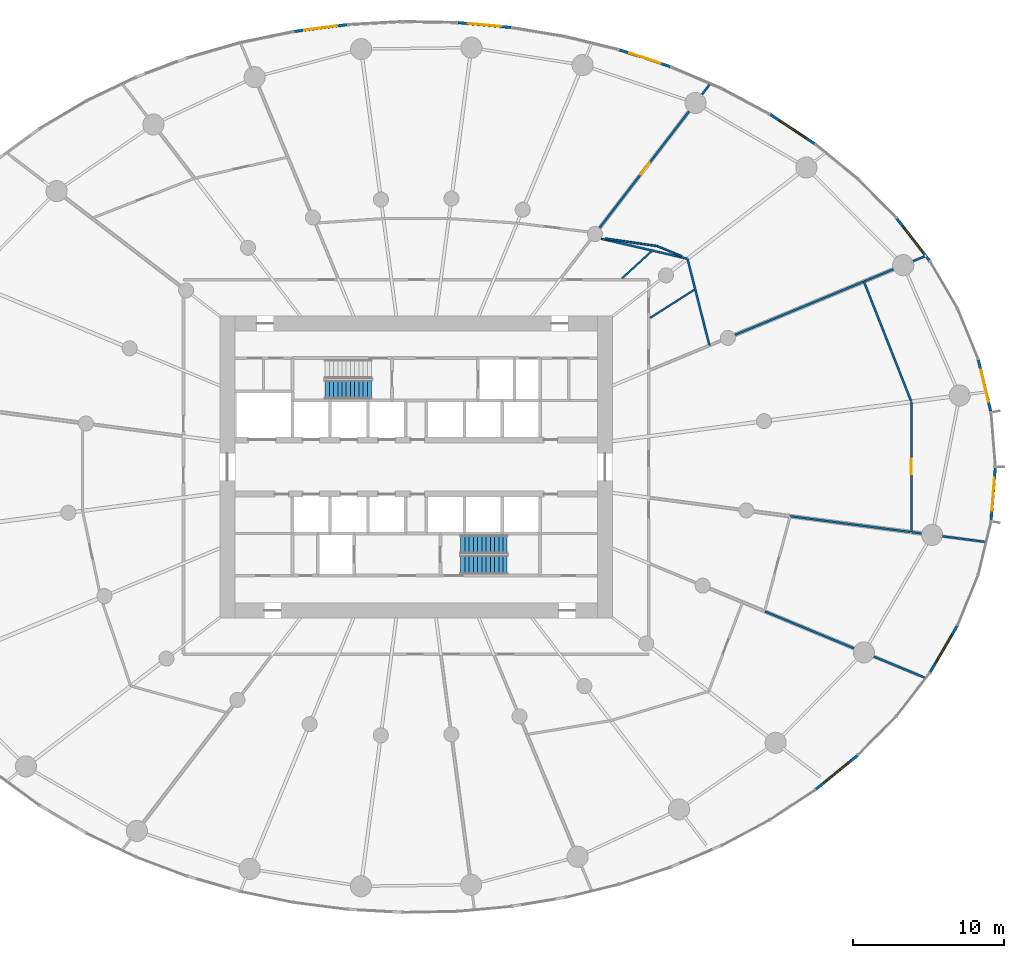
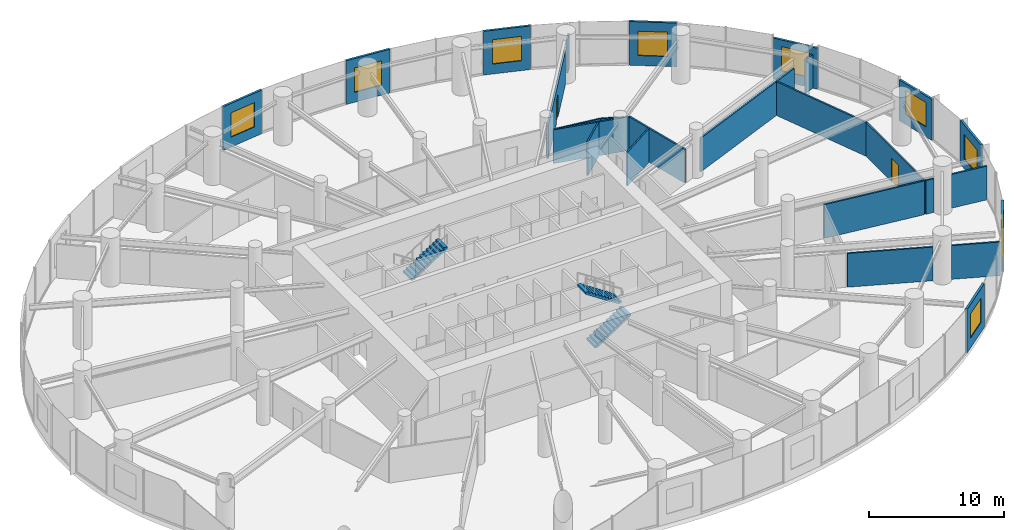
# One storey, part 15 of 19: 27 walls, 9 windows, 3 stair flights, 2 doors, 11 openings, 2 elements without a shape of their own.
"""IFC4 building model written with IfcOpenShell, lengths in metres."""

from ifc_helpers import new_model, si_unit, direction, frame, frame_2d, origin, place, context, subcontext, project, spatial, line, indexed_curve, rectangle, outline, extrude, source, transform, mapped, material, layer, layer_set, type_object, element, fill, aggregate, save


model = new_model("IFC4")

# Units and contexts
model_context = context("Model", 3, precision=1e-05, world=origin(), true_north=direction((0.0, 1.0)))
body_context = subcontext(model_context, "Body", "Model", "MODEL_VIEW")
ifc_project = project(units=[si_unit("LENGTHUNIT", "METRE"), si_unit("AREAUNIT", "SQUARE_METRE"), si_unit("VOLUMEUNIT", "CUBIC_METRE"), si_unit("PLANEANGLEUNIT", "RADIAN"), si_unit("MASSUNIT", "GRAM", prefix="KILO")], contexts=[model_context])

# Site, building, storey
site_placement = place(None, origin())
site = spatial("IfcSite", under=ifc_project, at=site_placement, CompositionType="ELEMENT")
building_placement = place(site_placement, origin())
building = spatial("IfcBuilding", under=site, at=building_placement, Name="Spindrift Exchange Tower", CompositionType="ELEMENT")
storey_placement = place(building_placement, frame((0.0, 0.0, 22.60009765625)))
storey = spatial("IfcBuildingStorey", under=building, at=storey_placement, Name="L05", CompositionType="ELEMENT", Elevation=22.60009765625)

# Wall, opening, window
ifc_material_1 = material(Name="Bronze anodised aluminium frame with fritted laminated glass spandrel", Category="aluminium")
ifc_layer_1 = layer(ifc_material_1, 0.179931640625)
ifc_layer_set_1 = layer_set([ifc_layer_1], Name="UNITISED FRAME WALL")
wall_type_1 = type_object("IfcWallType", Name="UNITISED FRAME WALL", PredefinedType="STANDARD", material=ifc_layer_set_1)
wall_1_placement = place(storey_placement, frame((78.40771484375, 69.38916015625, 0.0), z_axis=(0.0, 0.0, 1.0), x_axis=(-0.834761908602, 0.550611075031, 0.0)))
wall_1 = element("IfcWall", 1, at=wall_1_placement, inside=storey, type_object=wall_type_1, Name="L05 Frame Wall 8", PredefinedType="STANDARD", context=body_context, shape_type="SweptSolid", body=[
    extrude(rectangle(XDim=3.546630859375, YDim=0.179931640625, at=frame_2d((1.7734375, 0.0))), origin(), (0.0, 0.0, 1.0), 3.949951171875),
])
opening_1_placement = place(wall_1_placement, frame((0.67333984375, 0.0, 0.89990234375)))
opening_1 = element("IfcOpeningElement", 2, at=opening_1_placement, cuts=wall_1, Name="Opening WV05-03", PredefinedType="OPENING", context=body_context, shape_type="SweptSolid", body=[
    extrude(rectangle(XDim=2.199951171875, YDim=2.199951171875, at=frame_2d((1.10009765625, 1.10009765625))), frame((0.0, 0.099853515625, 0.0), z_axis=(0.0, -1.0, 0.0), x_axis=(1.0, 0.0, 0.0)), (0.0, 0.0, 1.0), 0.199951171875),
])
ifc_material_2 = material(Name="Clear laminated low-iron glass in bronze frame", Category="glass")
window_type = type_object("IfcWindowType", Name="OPERABLE CLEAR VENT 2200X2200", PartitioningType="SINGLE_PANEL", PredefinedType="WINDOW", material=ifc_material_2)
shared_shape_1 = source(origin(), body_context, "Body", "SweptSolid", [
    extrude(rectangle(XDim=2.199951171875, YDim=2.199951171875, at=frame_2d((1.10009765625, 1.10009765625))), frame((0.0, 0.030029296875, 0.0), z_axis=(0.0, -1.0, 0.0), x_axis=(1.0, 0.0, 0.0)), (0.0, 0.0, 1.0), 0.06005859375),
])
window_1_placement = place(opening_1_placement, origin())
window_1 = element("IfcWindow", 3, at=window_1_placement, inside=storey, type_object=window_type, Name="L05 Operable Vent WV05-03", OverallHeight=2.199951171875, OverallWidth=2.199951171875, PartitioningType="SINGLE_PANEL", PredefinedType="WINDOW", context=body_context, shape_type="MappedRepresentation", body=[
    mapped(shared_shape_1, transform((0.0, 0.0, 0.0), scale=1.0)),
])
fill(opening_1, window_1)

wall_2_placement = place(storey_placement, frame((68.83740234375, 74.5029296875, 0.0), z_axis=(0.0, 0.0, 1.0), x_axis=(-0.949246159188, 0.314534146425, 0.0)))
wall_2 = element("IfcWall", 4, at=wall_2_placement, inside=storey, type_object=wall_type_1, Name="L05 Frame Wall 11", PredefinedType="STANDARD", context=body_context, shape_type="SweptSolid", body=[
    extrude(rectangle(XDim=3.547119140625, YDim=0.179931640625, at=frame_2d((1.7734375, 0.0))), origin(), (0.0, 0.0, 1.0), 3.949951171875),
])
opening_2_placement = place(wall_2_placement, frame((0.673583984375, 0.0, 0.89990234375)))
opening_2 = element("IfcOpeningElement", 5, at=opening_2_placement, cuts=wall_2, Name="Opening WV05-04", PredefinedType="OPENING", context=body_context, shape_type="SweptSolid", body=[
    extrude(rectangle(XDim=2.199951171875, YDim=2.199951171875, at=frame_2d((1.10009765625, 1.10009765625))), frame((0.0, 0.099853515625, 0.0), z_axis=(0.0, -1.0, 0.0), x_axis=(1.0, 0.0, 0.0)), (0.0, 0.0, 1.0), 0.199951171875),
])
window_2_placement = place(opening_2_placement, origin())
window_2 = element("IfcWindow", 6, at=window_2_placement, inside=storey, type_object=window_type, Name="L05 Operable Vent WV05-04", OverallHeight=2.199951171875, OverallWidth=2.199951171875, PartitioningType="SINGLE_PANEL", PredefinedType="WINDOW", context=body_context, shape_type="MappedRepresentation", body=[
    mapped(shared_shape_1, transform((0.0, 0.0, 0.0), scale=1.0)),
])
fill(opening_2, window_2)

wall_3_placement = place(storey_placement, frame((58.292236328125, 77.0986328125, 0.0), z_axis=(0.0, 0.0, 1.0), x_axis=(-0.995833762516, 0.091187265745, 0.0)))
wall_3 = element("IfcWall", 7, at=wall_3_placement, inside=storey, type_object=wall_type_1, Name="L05 Frame Wall 14", PredefinedType="STANDARD", context=body_context, shape_type="SweptSolid", body=[
    extrude(rectangle(XDim=3.547607421875, YDim=0.179931640625, at=frame_2d((1.77392578125, 0.0))), origin(), (0.0, 0.0, 1.0), 3.949951171875),
])
opening_3_placement = place(wall_3_placement, frame((0.673583984375, 0.0, 0.89990234375)))
opening_3 = element("IfcOpeningElement", 8, at=opening_3_placement, cuts=wall_3, Name="Opening WV05-05", PredefinedType="OPENING", context=body_context, shape_type="SweptSolid", body=[
    extrude(rectangle(XDim=2.199951171875, YDim=2.199951171875, at=frame_2d((1.10009765625, 1.10009765625))), frame((0.0, 0.099853515625, 0.0), z_axis=(0.0, -1.0, 0.0), x_axis=(1.0, 0.0, 0.0)), (0.0, 0.0, 1.0), 0.199951171875),
])
window_3_placement = place(opening_3_placement, origin())
window_3 = element("IfcWindow", 9, at=window_3_placement, inside=storey, type_object=window_type, Name="L05 Operable Vent WV05-05", OverallHeight=2.199951171875, OverallWidth=2.199951171875, PartitioningType="SINGLE_PANEL", PredefinedType="WINDOW", context=body_context, shape_type="MappedRepresentation", body=[
    mapped(shared_shape_1, transform((0.0, 0.0, 0.0), scale=1.0)),
])
fill(opening_3, window_3)

wall_4_placement = place(storey_placement, frame((47.431396484375, 77.28857421875, 0.0), z_axis=(0.0, 0.0, 1.0), x_axis=(-0.991799548693, -0.127803189364, 0.0)))
wall_4 = element("IfcWall", 10, at=wall_4_placement, inside=storey, type_object=wall_type_1, Name="L05 Frame Wall 17", PredefinedType="STANDARD", context=body_context, shape_type="SweptSolid", body=[
    extrude(rectangle(XDim=3.54736328125, YDim=0.179931640625, at=frame_2d((1.773681640625, 0.0))), origin(), (0.0, 0.0, 1.0), 3.949951171875),
])
opening_4_placement = place(wall_4_placement, frame((0.673583984375, 0.0, 0.89990234375)))
opening_4 = element("IfcOpeningElement", 11, at=opening_4_placement, cuts=wall_4, Name="Opening WV05-06", PredefinedType="OPENING", context=body_context, shape_type="SweptSolid", body=[
    extrude(rectangle(XDim=2.199951171875, YDim=2.199951171875, at=frame_2d((1.10009765625, 1.10009765625))), frame((0.0, 0.099853515625, 0.0), z_axis=(0.0, -1.0, 0.0), x_axis=(1.0, 0.0, 0.0)), (0.0, 0.0, 1.0), 0.199951171875),
])
window_4_placement = place(opening_4_placement, origin())
window_4 = element("IfcWindow", 12, at=window_4_placement, inside=storey, type_object=window_type, Name="L05 Operable Vent WV05-06", OverallHeight=2.199951171875, OverallWidth=2.199951171875, PartitioningType="SINGLE_PANEL", PredefinedType="WINDOW", context=body_context, shape_type="MappedRepresentation", body=[
    mapped(shared_shape_1, transform((0.0, 0.0, 0.0), scale=1.0)),
])
fill(opening_4, window_4)

wall_5_placement = place(storey_placement, frame((78.47216796875, 26.658203125, 0.0), z_axis=(0.0, 0.0, 1.0), x_axis=(0.775283676783, 0.631613188997, 0.0)))
wall_5 = element("IfcWall", 13, at=wall_5_placement, inside=storey, type_object=wall_type_1, Name="L05 Frame Wall 53", PredefinedType="STANDARD", context=body_context, shape_type="SweptSolid", body=[
    extrude(rectangle(XDim=3.54638671875, YDim=0.179931640625, at=frame_2d((1.773193359375, 0.0))), origin(), (0.0, 0.0, 1.0), 3.949951171875),
])
opening_5_placement = place(wall_5_placement, frame((0.67333984375, 0.0, 0.89990234375)))
opening_5 = element("IfcOpeningElement", 14, at=opening_5_placement, cuts=wall_5, Name="Opening WV05-18", PredefinedType="OPENING", context=body_context, shape_type="SweptSolid", body=[
    extrude(rectangle(XDim=2.199951171875, YDim=2.199951171875, at=frame_2d((1.10009765625, 1.10009765625))), frame((0.0, 0.099853515625, 0.0), z_axis=(0.0, -1.0, 0.0), x_axis=(1.0, 0.0, 0.0)), (0.0, 0.0, 1.0), 0.199951171875),
])
window_5_placement = place(opening_5_placement, origin())
window_5 = element("IfcWindow", 15, at=window_5_placement, inside=storey, type_object=window_type, Name="L05 Operable Vent WV05-18", OverallHeight=2.199951171875, OverallWidth=2.199951171875, PartitioningType="SINGLE_PANEL", PredefinedType="WINDOW", context=body_context, shape_type="MappedRepresentation", body=[
    mapped(shared_shape_1, transform((0.0, 0.0, 0.0), scale=1.0)),
])
fill(opening_5, window_5)

wall_6_placement = place(storey_placement, frame((86.03515625, 34.41015625, 0.0), z_axis=(0.0, 0.0, 1.0), x_axis=(0.503905275905, 0.8637589206, 0.0)))
wall_6 = element("IfcWall", 16, at=wall_6_placement, inside=storey, type_object=wall_type_1, Name="L05 Frame Wall 56", PredefinedType="STANDARD", context=body_context, shape_type="SweptSolid", body=[
    extrude(rectangle(XDim=3.545654296875, YDim=0.179931640625, at=frame_2d((1.77294921875, 0.0))), origin(), (0.0, 0.0, 1.0), 3.949951171875),
])
opening_6_placement = place(wall_6_placement, frame((0.672607421875, 0.0, 0.89990234375)))
opening_6 = element("IfcOpeningElement", 17, at=opening_6_placement, cuts=wall_6, Name="Opening WV05-19", PredefinedType="OPENING", context=body_context, shape_type="SweptSolid", body=[
    extrude(rectangle(XDim=2.199951171875, YDim=2.199951171875, at=frame_2d((1.10009765625, 1.10009765625))), frame((0.0, 0.099853515625, 0.0), z_axis=(0.0, -1.0, 0.0), x_axis=(1.0, 0.0, 0.0)), (0.0, 0.0, 1.0), 0.199951171875),
])
window_6_placement = place(opening_6_placement, origin())
window_6 = element("IfcWindow", 18, at=window_6_placement, inside=storey, type_object=window_type, Name="L05 Operable Vent WV05-19", OverallHeight=2.199951171875, OverallWidth=2.199951171875, PartitioningType="SINGLE_PANEL", PredefinedType="WINDOW", context=body_context, shape_type="MappedRepresentation", body=[
    mapped(shared_shape_1, transform((0.0, 0.0, 0.0), scale=1.0)),
])
fill(opening_6, window_6)

wall_7_placement = place(storey_placement, frame((90.064453125, 44.427001953125, 0.0), z_axis=(0.0, 0.0, 1.0), x_axis=(0.079624764611, 0.996824907825, 0.0)))
wall_7 = element("IfcWall", 19, at=wall_7_placement, inside=storey, type_object=wall_type_1, Name="L05 Frame Wall 59", PredefinedType="STANDARD", context=body_context, shape_type="SweptSolid", body=[
    extrude(rectangle(XDim=3.54443359375, YDim=0.179931640625, at=frame_2d((1.772216796875, 0.0))), origin(), (0.0, 0.0, 1.0), 3.949951171875),
])
opening_7_placement = place(wall_7_placement, frame((0.672119140625, 0.0, 0.89990234375)))
opening_7 = element("IfcOpeningElement", 20, at=opening_7_placement, cuts=wall_7, Name="Opening WV05-20", PredefinedType="OPENING", context=body_context, shape_type="SweptSolid", body=[
    extrude(rectangle(XDim=2.199951171875, YDim=2.199951171875, at=frame_2d((1.10009765625, 1.10009765625))), frame((0.0, 0.099853515625, 0.0), z_axis=(0.0, -1.0, 0.0), x_axis=(1.0, 0.0, 0.0)), (0.0, 0.0, 1.0), 0.199951171875),
])
window_7_placement = place(opening_7_placement, origin())
window_7 = element("IfcWindow", 21, at=window_7_placement, inside=storey, type_object=window_type, Name="L05 Operable Vent WV05-20", OverallHeight=2.199951171875, OverallWidth=2.199951171875, PartitioningType="SINGLE_PANEL", PredefinedType="WINDOW", context=body_context, shape_type="MappedRepresentation", body=[
    mapped(shared_shape_1, transform((0.0, 0.0, 0.0), scale=1.0)),
])
fill(opening_7, window_7)

ifc_layer_2 = layer(ifc_material_1, 0.179931640625)
ifc_layer_set_2 = layer_set([ifc_layer_2], Name="UNITISED FRAME WALL TO BEAM SOFFIT")
wall_type_2 = type_object("IfcWallType", Name="UNITISED FRAME WALL TO BEAM SOFFIT", PredefinedType="STANDARD", material=ifc_layer_set_2)
wall_8_placement = place(storey_placement, frame((90.052001953125, 51.65185546875, 0.0), z_axis=(0.0, 0.0, 1.0), x_axis=(-0.234602378519, 0.972091417508, 0.0)))
wall_8 = element("IfcWall", 22, at=wall_8_placement, inside=storey, type_object=wall_type_2, Name="L05 Frame Wall 2", PredefinedType="STANDARD", context=body_context, shape_type="SweptSolid", body=[
    extrude(rectangle(XDim=3.54443359375, YDim=0.179931640625, at=frame_2d((1.772216796875, 0.0))), origin(), (0.0, 0.0, 1.0), 3.697998046875),
])
opening_8_placement = place(wall_8_placement, frame((0.67236328125, 0.0, 0.89990234375)))
opening_8 = element("IfcOpeningElement", 23, at=opening_8_placement, cuts=wall_8, Name="Opening WV05-01", PredefinedType="OPENING", context=body_context, shape_type="SweptSolid", body=[
    extrude(rectangle(XDim=2.199951171875, YDim=2.199951171875, at=frame_2d((1.10009765625, 1.10009765625))), frame((0.0, 0.099853515625, 0.0), z_axis=(0.0, -1.0, 0.0), x_axis=(1.0, 0.0, 0.0)), (0.0, 0.0, 1.0), 0.199951171875),
])
window_8_placement = place(opening_8_placement, origin())
window_8 = element("IfcWindow", 24, at=window_8_placement, inside=storey, type_object=window_type, Name="L05 Operable Vent WV05-01", OverallHeight=2.199951171875, OverallWidth=2.199951171875, PartitioningType="SINGLE_PANEL", PredefinedType="WINDOW", context=body_context, shape_type="MappedRepresentation", body=[
    mapped(shared_shape_1, transform((0.0, 0.0, 0.0), scale=1.0)),
])
fill(opening_8, window_8)

wall_9_placement = place(storey_placement, frame((85.990478515625, 61.656005859375, 0.0), z_axis=(0.0, 0.0, 1.0), x_axis=(-0.611755109176, 0.791047208703, 0.0)))
wall_9 = element("IfcWall", 25, at=wall_9_placement, inside=storey, type_object=wall_type_2, Name="L05 Frame Wall 5", PredefinedType="STANDARD", context=body_context, shape_type="SweptSolid", body=[
    extrude(rectangle(XDim=3.5458984375, YDim=0.179931640625, at=frame_2d((1.77294921875, 0.0))), origin(), (0.0, 0.0, 1.0), 3.697998046875),
])
opening_9_placement = place(wall_9_placement, frame((0.6728515625, 0.0, 0.89990234375)))
opening_9 = element("IfcOpeningElement", 26, at=opening_9_placement, cuts=wall_9, Name="Opening WV05-02", PredefinedType="OPENING", context=body_context, shape_type="SweptSolid", body=[
    extrude(rectangle(XDim=2.199951171875, YDim=2.199951171875, at=frame_2d((1.10009765625, 1.10009765625))), frame((0.0, 0.099853515625, 0.0), z_axis=(0.0, -1.0, 0.0), x_axis=(1.0, 0.0, 0.0)), (0.0, 0.0, 1.0), 0.199951171875),
])
window_9_placement = place(opening_9_placement, origin())
window_9 = element("IfcWindow", 27, at=window_9_placement, inside=storey, type_object=window_type, Name="L05 Operable Vent WV05-02", OverallHeight=2.199951171875, OverallWidth=2.199951171875, PartitioningType="SINGLE_PANEL", PredefinedType="WINDOW", context=body_context, shape_type="MappedRepresentation", body=[
    mapped(shared_shape_1, transform((0.0, 0.0, 0.0), scale=1.0)),
])
fill(opening_9, window_9)

# Wall, opening, door
ifc_material_3 = material(Name="Fire-rated plasterboard partition", Category="gypsum")
ifc_layer_3 = layer(ifc_material_3, 0.139892578125)
ifc_layer_set_3 = layer_set([ifc_layer_3], Name="W-PART-140")
wall_type_3 = type_object("IfcWallType", Name="W-PART-140", PredefinedType="PARTITIONING", material=ifc_layer_set_3)
wall_10_placement = place(storey_placement, frame((70.063720703125, 71.541015625, 0.0), z_axis=(0.0, 0.0, 1.0), x_axis=(-0.608770295053, -0.793346537057, 0.0)))
wall_10 = element("IfcWall", 28, at=wall_10_placement, inside=storey, type_object=wall_type_3, Name="L05 Partition wall 66", PredefinedType="PARTITIONING", context=body_context, shape_type="SweptSolid", body=[
    extrude(rectangle(XDim=9.727294921875, YDim=0.139892578125, at=frame_2d((4.86376953125, 0.0))), origin(), (0.0, 0.0, 1.0), 3.0498046875),
])
opening_10_placement = place(wall_10_placement, frame((4.277099609375, 0.0, 0.0)))
opening_10 = element("IfcOpeningElement", 29, at=opening_10_placement, cuts=wall_10, Name="Opening L05-D31", PredefinedType="OPENING", context=body_context, shape_type="SweptSolid", body=[
    extrude(rectangle(XDim=1.0, YDim=2.10009765625, at=frame_2d((0.5, 1.050048828125))), frame((0.0, 0.079833984375, 0.0), z_axis=(0.0, -1.0, 0.0), x_axis=(1.0, 0.0, 0.0)), (0.0, 0.0, 1.0), 0.159912109375),
])
ifc_material_4 = material(Name="Timber-core fire door", Category="wood")
door_type = type_object("IfcDoorType", Name="DR-ROOM-1000", OperationType="NOTDEFINED", PredefinedType="DOOR", material=ifc_material_4)
shared_shape_2 = source(origin(), body_context, "Body", "SweptSolid", [
    extrude(rectangle(XDim=1.0, YDim=2.10009765625, at=frame_2d((0.5, 1.050048828125))), frame((0.0, 0.02490234375, 0.0), z_axis=(0.0, -1.0, 0.0), x_axis=(1.0, 0.0, 0.0)), (0.0, 0.0, 1.0), 0.050048828125),
])
door_1_placement = place(opening_10_placement, origin())
door_1 = element("IfcDoor", 30, at=door_1_placement, inside=storey, type_object=door_type, Name="L05 Door 31", OperationType="SINGLE_SWING_RIGHT", OverallHeight=2.10009765625, OverallWidth=1.0, PredefinedType="DOOR", context=body_context, shape_type="MappedRepresentation", body=[
    mapped(shared_shape_2, transform((0.0, 0.0, 0.0), scale=1.0)),
])
fill(opening_10, door_1)

# Wall
wall_11_placement = place(storey_placement, frame((73.10595703125, 56.7421875, 0.0), z_axis=(0.0, 0.0, 1.0), x_axis=(0.923866773136, 0.382714234769, 0.0)))
element("IfcWall", 31, at=wall_11_placement, inside=storey, type_object=wall_type_3, Name="L05 Partition wall 67", PredefinedType="PARTITIONING", context=body_context, shape_type="SweptSolid", body=[
    extrude(rectangle(XDim=9.240966796875, YDim=0.139892578125, at=frame_2d((4.62060546875, 0.0))), origin(), (0.0, 0.0, 1.0), 3.0498046875),
])

# Wall, opening, door
wall_12_placement = place(storey_placement, frame((84.785400390625, 52.31640625, 0.0), z_axis=(0.0, 0.0, 1.0), x_axis=(0.0, -1.0, 0.0)))
wall_12 = element("IfcWall", 32, at=wall_12_placement, inside=storey, type_object=wall_type_3, Name="L05 Partition wall 70", PredefinedType="PARTITIONING", context=body_context, shape_type="SweptSolid", body=[
    extrude(rectangle(XDim=8.6328125, YDim=0.139892578125, at=frame_2d((4.31640625, 0.0))), origin(), (0.0, 0.0, 1.0), 3.0498046875),
])
opening_11_placement = place(wall_12_placement, frame((3.78271484375, 0.0, 0.0)))
opening_11 = element("IfcOpeningElement", 33, at=opening_11_placement, cuts=wall_12, Name="Opening L05-D25", PredefinedType="OPENING", context=body_context, shape_type="SweptSolid", body=[
    extrude(rectangle(XDim=1.0, YDim=2.10009765625, at=frame_2d((0.5, 1.050048828125))), frame((0.0, 0.079833984375, 0.0), z_axis=(0.0, -1.0, 0.0), x_axis=(1.0, 0.0, 0.0)), (0.0, 0.0, 1.0), 0.159912109375),
])
door_2_placement = place(opening_11_placement, origin())
door_2 = element("IfcDoor", 34, at=door_2_placement, inside=storey, type_object=door_type, Name="L05 Door 25", OperationType="SINGLE_SWING_RIGHT", OverallHeight=2.10009765625, OverallWidth=1.0, PredefinedType="DOOR", context=body_context, shape_type="MappedRepresentation", body=[
    mapped(shared_shape_2, transform((0.0, 0.0, 0.0), scale=1.0)),
])
fill(opening_11, door_2)

# Walls
wall_13_placement = place(storey_placement, frame((84.7744140625, 52.34423828125, 0.0), z_axis=(0.0, 0.0, 1.0), x_axis=(-0.36705286117, 0.930200084448, 0.0)))
element("IfcWall", 35, at=wall_13_placement, inside=storey, type_object=wall_type_3, Name="L05 Partition wall 71", PredefinedType="PARTITIONING", context=body_context, shape_type="SweptSolid", body=[
    extrude(rectangle(XDim=8.4599609375, YDim=0.139892578125, at=frame_2d((4.22998046875, 0.0))), origin(), (0.0, 0.0, 1.0), 3.0498046875),
])
wall_14_placement = place(storey_placement, frame((76.761474609375, 44.739990234375, 0.0), z_axis=(0.0, 0.0, 1.0), x_axis=(0.991445281649, -0.130522999877, 0.0)))
element("IfcWall", 36, at=wall_14_placement, inside=storey, type_object=wall_type_3, Name="L05 Partition wall 72", PredefinedType="PARTITIONING", context=body_context, shape_type="SweptSolid", body=[
    extrude(rectangle(XDim=8.0224609375, YDim=0.139892578125, at=frame_2d((4.01123046875, 0.0))), origin(), (0.0, 0.0, 1.0), 3.0498046875),
])
wall_15_placement = place(storey_placement, frame((75.09716796875, 38.432861328125, 0.0), z_axis=(0.0, 0.0, 1.0), x_axis=(0.923869490045, -0.382707676125, 0.0)))
element("IfcWall", 37, at=wall_15_placement, inside=storey, type_object=wall_type_3, Name="L05 Partition wall 79", PredefinedType="PARTITIONING", context=body_context, shape_type="SweptSolid", body=[
    extrude(rectangle(XDim=6.3818359375, YDim=0.139892578125, at=frame_2d((3.19091796875, 0.0))), origin(), (0.0, 0.0, 1.0), 3.0498046875),
])
wall_16_placement = place(storey_placement, frame((71.41748046875, 56.04296875, 0.0), z_axis=(0.0, 0.0, 1.0), x_axis=(-0.245211508641, 0.969469605521, 0.0)))
element("IfcWall", 38, at=wall_16_placement, inside=storey, type_object=wall_type_3, Name="L05 Partition wall 84", PredefinedType="PARTITIONING", context=body_context, shape_type="SweptSolid", body=[
    extrude(rectangle(XDim=5.923095703125, YDim=0.139892578125, at=frame_2d((2.96142578125, 0.0))), origin(), (0.0, 0.0, 1.0), 3.0498046875),
])
wall_17_placement = place(storey_placement, frame((69.93603515625, 61.7919921875, 0.0), z_axis=(0.0, 0.0, 1.0), x_axis=(-0.974090144773, 0.226160097844, 0.0)))
element("IfcWall", 39, at=wall_17_placement, inside=storey, type_object=wall_type_3, Name="L05 Partition wall 85", PredefinedType="PARTITIONING", context=body_context, shape_type="SweptSolid", body=[
    extrude(rectangle(XDim=5.85302734375, YDim=0.139892578125, at=frame_2d((2.926513671875, 0.0))), origin(), (0.0, 0.0, 1.0), 3.0498046875),
])
wall_18_placement = place(storey_placement, frame((82.2958984375, 35.450927734375, 0.0), z_axis=(0.0, 0.0, 1.0), x_axis=(0.923882033439, -0.382677394537, 0.0)))
element("IfcWall", 40, at=wall_18_placement, inside=storey, type_object=wall_type_3, Name="L05 Partition wall 103", PredefinedType="PARTITIONING", context=body_context, shape_type="SweptSolid", body=[
    extrude(rectangle(XDim=3.642333984375, YDim=0.139892578125, at=frame_2d((1.8212890625, 0.0))), origin(), (0.0, 0.0, 1.0), 3.0498046875),
])
wall_19_placement = place(storey_placement, frame((86.859375, 43.41064453125, 0.0), z_axis=(0.0, 0.0, 1.0), x_axis=(0.991443227873, -0.130538599287, 0.0)))
element("IfcWall", 41, at=wall_19_placement, inside=storey, type_object=wall_type_3, Name="L05 Partition wall 108", PredefinedType="PARTITIONING", context=body_context, shape_type="SweptSolid", body=[
    extrude(rectangle(XDim=2.85400390625, YDim=0.139892578125, at=frame_2d((1.427001953125, 0.0))), origin(), (0.0, 0.0, 1.0), 3.0498046875),
])
wall_20_placement = place(storey_placement, frame((81.671142578125, 60.290283203125, 0.0), z_axis=(0.0, 0.0, 1.0), x_axis=(0.923902679831, 0.382627545012, 0.0)))
element("IfcWall", 42, at=wall_20_placement, inside=storey, type_object=wall_type_3, Name="L05 Partition wall 116", PredefinedType="PARTITIONING", context=body_context, shape_type="SweptSolid", body=[
    extrude(rectangle(XDim=2.085205078125, YDim=0.139892578125, at=frame_2d((1.04248046875, 0.0))), origin(), (0.0, 0.0, 1.0), 3.0498046875),
])
wall_21_placement = place(storey_placement, frame((70.9208984375, 72.658447265625, 0.0), z_axis=(0.0, 0.0, 1.0), x_axis=(0.608939798959, 0.793216440351, 0.0)))
element("IfcWall", 43, at=wall_21_placement, inside=storey, type_object=wall_type_3, Name="L05 Partition wall 123", PredefinedType="PARTITIONING", context=body_context, shape_type="SweptSolid", body=[
    extrude(rectangle(XDim=0.82666015625, YDim=0.139892578125, at=frame_2d((0.413330078125, 0.0))), origin(), (0.0, 0.0, 1.0), 3.0498046875),
])
wall_22_placement = place(storey_placement, frame((84.900146484375, 61.627685546875, 0.0), z_axis=(0.0, 0.0, 1.0), x_axis=(0.923846977396, 0.382762017913, 0.0)))
element("IfcWall", 44, at=wall_22_placement, inside=storey, type_object=wall_type_3, Name="L05 Partition wall 125", PredefinedType="PARTITIONING", context=body_context, shape_type="SweptSolid", body=[
    extrude(rectangle(XDim=0.823486328125, YDim=0.139892578125, at=frame_2d((0.41162109375, 0.0))), origin(), (0.0, 0.0, 1.0), 3.0498046875),
])
wall_23_placement = place(storey_placement, frame((84.815185546875, 43.6796875, 0.0), z_axis=(0.0, 0.0, 1.0), x_axis=(0.991458111103, -0.130425511035, 0.0)))
element("IfcWall", 45, at=wall_23_placement, inside=storey, type_object=wall_type_3, Name="L05 Partition wall 128", PredefinedType="PARTITIONING", context=body_context, shape_type="SweptSolid", body=[
    extrude(rectangle(XDim=0.6533203125, YDim=0.139892578125, at=frame_2d((0.32666015625, 0.0))), origin(), (0.0, 0.0, 1.0), 3.0498046875),
])
ifc_layer_4 = layer(ifc_material_3, 0.1201171875)
ifc_layer_set_4 = layer_set([ifc_layer_4], Name="W-WET-120")
wall_type_4 = type_object("IfcWallType", Name="W-WET-120", PredefinedType="PARTITIONING", material=ifc_layer_set_4)
wall_24_placement = place(storey_placement, frame((67.961181640625, 62.625732421875, 0.0), z_axis=(0.0, 0.0, 1.0), x_axis=(-0.989753784828, 0.142784611983, 0.0)))
element("IfcWall", 46, at=wall_24_placement, inside=storey, type_object=wall_type_4, Name="L05 Partition wall 130", PredefinedType="PARTITIONING", context=body_context, shape_type="SweptSolid", body=[
    extrude(rectangle(XDim=3.484619140625, YDim=0.1201171875, at=frame_2d((1.7421875, 0.0))), origin(), (0.0, 0.0, 1.0), 3.0498046875),
])
wall_25_placement = place(storey_placement, frame((67.489990234375, 57.8681640625, 0.0), z_axis=(0.0, 0.0, 1.0), x_axis=(0.843371271412, 0.537331274501, 0.0)))
element("IfcWall", 47, at=wall_25_placement, inside=storey, type_object=wall_type_4, Name="L05 Partition wall 131", PredefinedType="PARTITIONING", context=body_context, shape_type="SweptSolid", body=[
    extrude(rectangle(XDim=3.46533203125, YDim=0.1201171875, at=frame_2d((1.732666015625, 0.0))), origin(), (0.0, 0.0, 1.0), 3.0498046875),
])
wall_26_placement = place(storey_placement, frame((65.63037109375, 60.489990234375, 0.0), z_axis=(0.0, 0.0, 1.0), x_axis=(0.737304203513, 0.675560886584, 0.0)))
element("IfcWall", 48, at=wall_26_placement, inside=storey, type_object=wall_type_4, Name="L05 Partition wall 132", PredefinedType="PARTITIONING", context=body_context, shape_type="SweptSolid", body=[
    extrude(rectangle(XDim=2.633544921875, YDim=0.1201171875, at=frame_2d((1.31689453125, 0.0))), origin(), (0.0, 0.0, 1.0), 3.0498046875),
])
wall_27_placement = place(storey_placement, frame((69.581298828125, 61.9462890625, 0.0), z_axis=(0.0, 0.0, 1.0), x_axis=(-0.922217151055, 0.386672375921, 0.0)))
element("IfcWall", 49, at=wall_27_placement, inside=storey, type_object=wall_type_4, Name="L05 Partition wall 133", PredefinedType="PARTITIONING", context=body_context, shape_type="SweptSolid", body=[
    extrude(rectangle(XDim=1.726806640625, YDim=0.1201171875, at=frame_2d((0.86328125, 0.0))), origin(), (0.0, 0.0, 1.0), 3.0498046875),
])

# Stair, stair flight
ifc_material_5 = material(Name="Concrete 50 MPa", Category="concrete")
stair_type = type_object("IfcStairType", Name="ST-1250-R183", PredefinedType="HALF_TURN_STAIR", material=ifc_material_5)
stair_1_placement = place(storey_placement, origin())
stair_1 = element("IfcStair", 50, at=stair_1_placement, inside=storey, type_object=stair_type, Name="L05 Exit stair ST1", PredefinedType="HALF_TURN_STAIR")
stair_flight_type = type_object("IfcStairFlightType", Name="STF-1250-R183", PredefinedType="STRAIGHT", material=ifc_material_5)
stair_flight_1_placement = place(storey_placement, frame((45.969970703125, 53.125, 2.199951171875), z_axis=(0.0, 0.0, 1.0), x_axis=(1.0, 0.0, 0.0)))
stair_flight_1 = element("IfcStairFlight", 51, at=stair_flight_1_placement, type_object=stair_flight_type, Name="ST1 flight 2", NumberOfRisers=12, NumberOfTreads=11, PredefinedType="STRAIGHT", RiserHeight=0.183333333, TreadLength=0.28, context=body_context, shape_type="SweptSolid", body=[
    extrude(outline(indexed_curve([(0.0, 0.0), (0.0, 0.18359375), (0.2802734375, 0.18359375), (0.2802734375, 0.3662109375), (0.5595703125, 0.3662109375), (0.5595703125, 0.5498046875), (0.83984375, 0.5498046875), (0.83984375, 0.7333984375), (1.1201171875, 0.7333984375), (1.1201171875, 0.9169921875), (1.400390625, 0.9169921875), (1.400390625, 1.099609375), (1.6796875, 1.099609375), (1.6796875, 1.283203125), (1.9599609375, 1.283203125), (1.9599609375, 1.466796875), (2.240234375, 1.466796875), (2.240234375, 1.650390625), (2.51953125, 1.650390625), (2.51953125, 1.8330078125), (2.7998046875, 1.8330078125), (2.7998046875, 2.0166015625), (3.080078125, 2.0166015625), (3.080078125, 2.2001953125), (3.080078125, 1.837890625), (0.2734375, 0.0)], segments=[line(1, 2, 3, 4, 5, 6, 7, 8, 9, 10, 11, 12, 13, 14, 15, 16, 17, 18, 19, 20, 21, 22, 23, 24, 25, 26, 1)], self_intersect=False)), frame((0.0, 0.625, 0.0), z_axis=(0.0, -1.0, 0.0), x_axis=(1.0, 0.0, 0.0)), (0.0, 0.0, 1.0), 1.25),
])
aggregate(stair_1, [stair_flight_1])

# Stair, stair flights
stair_2_placement = place(storey_placement, origin())
stair_2 = element("IfcStair", 52, at=stair_2_placement, inside=storey, type_object=stair_type, Name="L05 Exit stair ST2", PredefinedType="HALF_TURN_STAIR")
stair_flight_2_placement = place(storey_placement, frame((54.949951171875, 41.52490234375, 0.0), z_axis=(0.0, 0.0, 1.0), x_axis=(1.0, 0.0, 0.0)))
stair_flight_2 = element("IfcStairFlight", 53, at=stair_flight_2_placement, type_object=stair_flight_type, Name="ST2 flight 1", NumberOfRisers=12, NumberOfTreads=11, PredefinedType="STRAIGHT", RiserHeight=0.183333333, TreadLength=0.28, context=body_context, shape_type="SweptSolid", body=[
    extrude(outline(indexed_curve([(0.0, 0.0), (0.0, 0.18359375), (0.2802734375, 0.18359375), (0.2802734375, 0.3662109375), (0.5595703125, 0.3662109375), (0.5595703125, 0.5498046875), (0.83984375, 0.5498046875), (0.83984375, 0.7333984375), (1.1201171875, 0.7333984375), (1.1201171875, 0.9169921875), (1.400390625, 0.9169921875), (1.400390625, 1.099609375), (1.6796875, 1.099609375), (1.6796875, 1.283203125), (1.9599609375, 1.283203125), (1.9599609375, 1.466796875), (2.240234375, 1.466796875), (2.240234375, 1.650390625), (2.51953125, 1.650390625), (2.51953125, 1.8330078125), (2.7998046875, 1.8330078125), (2.7998046875, 2.0166015625), (3.080078125, 2.0166015625), (3.080078125, 2.2001953125), (3.080078125, 1.837890625), (0.2734375, 0.0)], segments=[line(1, 2, 3, 4, 5, 6, 7, 8, 9, 10, 11, 12, 13, 14, 15, 16, 17, 18, 19, 20, 21, 22, 23, 24, 25, 26, 1)], self_intersect=False)), frame((0.0, 0.625, 0.0), z_axis=(0.0, -1.0, 0.0), x_axis=(1.0, 0.0, 0.0)), (0.0, 0.0, 1.0), 1.25),
])
stair_flight_3_placement = place(storey_placement, frame((58.030029296875, 42.875, 2.199951171875), z_axis=(0.0, 0.0, 1.0), x_axis=(-1.0, 0.0, 0.0)))
stair_flight_3 = element("IfcStairFlight", 54, at=stair_flight_3_placement, type_object=stair_flight_type, Name="ST2 flight 2", NumberOfRisers=12, NumberOfTreads=11, PredefinedType="STRAIGHT", RiserHeight=0.183333333, TreadLength=0.28, context=body_context, shape_type="SweptSolid", body=[
    extrude(outline(indexed_curve([(0.0, 0.0), (0.0, 0.18359375), (0.2802734375, 0.18359375), (0.2802734375, 0.3662109375), (0.5595703125, 0.3662109375), (0.5595703125, 0.5498046875), (0.83984375, 0.5498046875), (0.83984375, 0.7333984375), (1.1201171875, 0.7333984375), (1.1201171875, 0.9169921875), (1.400390625, 0.9169921875), (1.400390625, 1.099609375), (1.6796875, 1.099609375), (1.6796875, 1.283203125), (1.9599609375, 1.283203125), (1.9599609375, 1.466796875), (2.240234375, 1.466796875), (2.240234375, 1.650390625), (2.51953125, 1.650390625), (2.51953125, 1.8330078125), (2.7998046875, 1.8330078125), (2.7998046875, 2.0166015625), (3.080078125, 2.0166015625), (3.080078125, 2.2001953125), (3.080078125, 1.837890625), (0.2734375, 0.0)], segments=[line(1, 2, 3, 4, 5, 6, 7, 8, 9, 10, 11, 12, 13, 14, 15, 16, 17, 18, 19, 20, 21, 22, 23, 24, 25, 26, 1)], self_intersect=False)), frame((0.0, 0.625, 0.0), z_axis=(0.0, -1.0, 0.0), x_axis=(1.0, 0.0, 0.0)), (0.0, 0.0, 1.0), 1.25),
])
aggregate(stair_2, [stair_flight_2, stair_flight_3])

save(model, "model.ifc")
